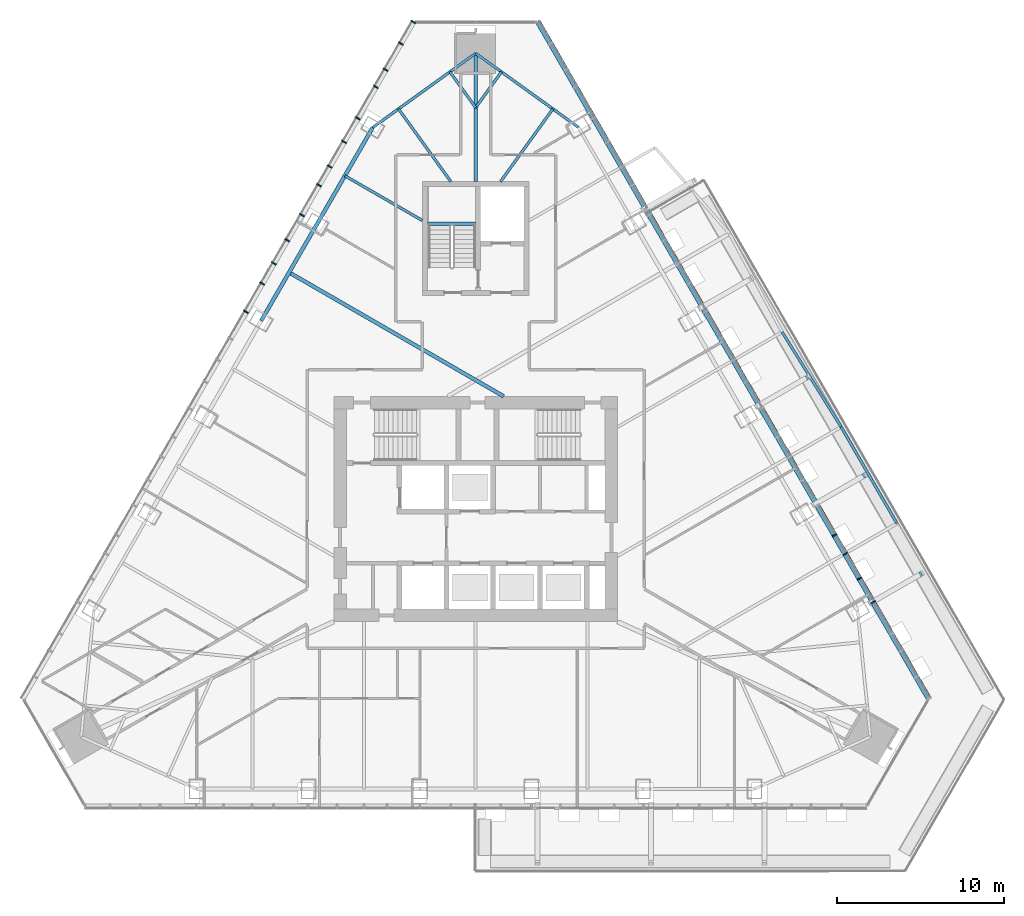
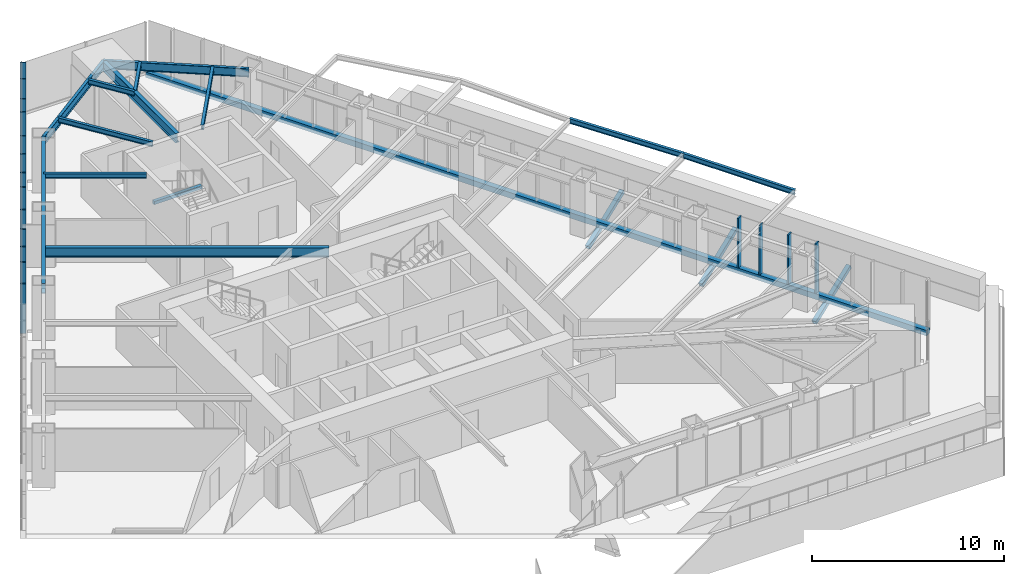
# One storey, part 5 of 17: 21 members, 13 beams, 2 elements without a shape of their own.
"""IFC4 building model written with IfcOpenShell, lengths in metres."""

from ifc_helpers import new_model, si_unit, direction, frame, origin, origin_2d, place, context, subcontext, project, spatial, rectangle, hollow_rectangle, i_section, extrude, material, layer, layer_set, material_profile, profile_set, type_object, element, aggregate, save


model = new_model("IFC4")

# Units and contexts
model_context = context("Model", 3, precision=1e-05, world=origin(), true_north=direction((0.0, 1.0)))
body_context = subcontext(model_context, "Body", "Model", "MODEL_VIEW")
ifc_project = project(units=[si_unit("LENGTHUNIT", "METRE"), si_unit("AREAUNIT", "SQUARE_METRE"), si_unit("VOLUMEUNIT", "CUBIC_METRE"), si_unit("PLANEANGLEUNIT", "RADIAN"), si_unit("MASSUNIT", "GRAM", prefix="KILO")], contexts=[model_context])

# Site, building, storey
site_placement = place(None, origin())
site = spatial("IfcSite", under=ifc_project, at=site_placement, CompositionType="ELEMENT")
building_placement = place(site_placement, origin())
building = spatial("IfcBuilding", under=site, at=building_placement, Name="Firuza Gate Tower and Library", CompositionType="ELEMENT")
storey_placement = place(building_placement, frame((0.0, 0.0, 263.60009765625)))
storey = spatial("IfcBuildingStorey", under=building, at=storey_placement, Name="L62", CompositionType="ELEMENT", Elevation=263.60009765625)

# Curtain wall, members
ifc_material_1 = material(Name="Aluminium 6063-T6", Category="aluminium")
ifc_layer = layer(ifc_material_1, 0.14990234375)
ifc_layer_set = layer_set([ifc_layer], Name="Unitised curtain wall, residences")
curtain_wall_type = type_object("IfcCurtainWallType", Name="Unitised curtain wall, residences", PredefinedType="NOTDEFINED", material=ifc_layer_set)
placement = place(storey_placement, origin())
curtain_wall_1 = element("IfcCurtainWall", 1, at=placement, inside=storey, type_object=curtain_wall_type, Name="CW3 L62 E face", PredefinedType="NOTDEFINED")
ifc_material_2 = material(Name="Aluminium 6063-T6", Category="aluminium")
ifc_material_profile_1 = material_profile(ifc_material_2, rectangle(XDim=0.320068359375, YDim=0.080078125, at=origin_2d()))
ifc_profile_set_1 = profile_set([ifc_material_profile_1], Name="Aluminium 6063-T6")
member_type_1 = type_object("IfcMemberType", Name="Curtain wall mullion 80x320", PredefinedType="MULLION", material=ifc_profile_set_1)
member_1_placement = place(storey_placement, frame((98.802001953125, 69.415283203125, 0.14990234375), z_axis=(0.0, 0.0, 1.0), x_axis=(-0.866025403784, -0.5, 0.0)))
member_1 = element("IfcMember", 2, at=member_1_placement, type_object=member_type_1, Name="Mullion", PredefinedType="MULLION", context=body_context, shape_type="SweptSolid", body=[
    extrude(rectangle(XDim=0.320068359375, YDim=0.080078125, at=origin_2d()), origin(), (0.0, 0.0, 1.0), 3.14990234375),
])
member_2_placement = place(storey_placement, frame((97.128173828125, 72.314208984375, 0.14990234375), z_axis=(0.0, 0.0, 1.0), x_axis=(-0.866025403784, -0.5, 0.0)))
member_2 = element("IfcMember", 3, at=member_2_placement, type_object=member_type_1, Name="Mullion", PredefinedType="MULLION", context=body_context, shape_type="SweptSolid", body=[
    extrude(rectangle(XDim=0.320068359375, YDim=0.080078125, at=origin_2d()), origin(), (0.0, 0.0, 1.0), 3.14990234375),
])
member_3_placement = place(storey_placement, frame((97.982421875, 70.8349609375, 0.14990234375), z_axis=(0.0, 0.0, 1.0), x_axis=(-0.866025403784, -0.5, 0.0)))
member_3 = element("IfcMember", 4, at=member_3_placement, type_object=member_type_1, Name="Mullion", PredefinedType="MULLION", context=body_context, shape_type="SweptSolid", body=[
    extrude(rectangle(XDim=0.320068359375, YDim=0.080078125, at=origin_2d()), origin(), (0.0, 0.0, 1.0), 3.14990234375),
])
member_4_placement = place(storey_placement, frame((96.484130859375, 73.429931640625, 0.14990234375), z_axis=(0.0, 0.0, 1.0), x_axis=(-0.866025403784, -0.5, 0.0)))
member_4 = element("IfcMember", 5, at=member_4_placement, type_object=member_type_1, Name="Mullion", PredefinedType="MULLION", context=body_context, shape_type="SweptSolid", body=[
    extrude(rectangle(XDim=0.320068359375, YDim=0.080078125, at=origin_2d()), origin(), (0.0, 0.0, 1.0), 3.14990234375),
])

curtain_wall_2 = element("IfcCurtainWall", 6, at=placement, inside=storey, type_object=curtain_wall_type, Name="CW3 L62 W face", PredefinedType="NOTDEFINED")
member_5_placement = place(storey_placement, frame((71.26318359375, 104.1689453125, 0.14990234375), z_axis=(0.0, 0.0, 1.0), x_axis=(0.866025403784, -0.5, 0.0)))
member_5 = element("IfcMember", 7, at=member_5_placement, type_object=member_type_1, Name="Mullion", PredefinedType="MULLION", context=body_context, shape_type="SweptSolid", body=[
    extrude(rectangle(XDim=0.320068359375, YDim=0.080078125, at=origin_2d()), origin(), (0.0, 0.0, 1.0), 3.14990234375),
])
member_6_placement = place(storey_placement, frame((69.609375, 101.3046875, 0.14990234375), z_axis=(0.0, 0.0, 1.0), x_axis=(0.866025403784, -0.5, 0.0)))
member_6 = element("IfcMember", 8, at=member_6_placement, type_object=member_type_1, Name="Mullion", PredefinedType="MULLION", context=body_context, shape_type="SweptSolid", body=[
    extrude(rectangle(XDim=0.320068359375, YDim=0.080078125, at=origin_2d()), origin(), (0.0, 0.0, 1.0), 3.14990234375),
])
member_7_placement = place(storey_placement, frame((67.935546875, 98.405517578125, 0.14990234375), z_axis=(0.0, 0.0, 1.0), x_axis=(0.866025403784, -0.5, 0.0)))
member_7 = element("IfcMember", 9, at=member_7_placement, type_object=member_type_1, Name="Mullion", PredefinedType="MULLION", context=body_context, shape_type="SweptSolid", body=[
    extrude(rectangle(XDim=0.320068359375, YDim=0.080078125, at=origin_2d()), origin(), (0.0, 0.0, 1.0), 3.14990234375),
])
member_8_placement = place(storey_placement, frame((66.26171875, 95.506591796875, 0.14990234375), z_axis=(0.0, 0.0, 1.0), x_axis=(0.866025403784, -0.5, 0.0)))
member_8 = element("IfcMember", 10, at=member_8_placement, type_object=member_type_1, Name="Mullion", PredefinedType="MULLION", context=body_context, shape_type="SweptSolid", body=[
    extrude(rectangle(XDim=0.320068359375, YDim=0.080078125, at=origin_2d()), origin(), (0.0, 0.0, 1.0), 3.14990234375),
])
member_9_placement = place(storey_placement, frame((64.588134765625, 92.607421875, 0.14990234375), z_axis=(0.0, 0.0, 1.0), x_axis=(0.866025403784, -0.5, 0.0)))
member_9 = element("IfcMember", 11, at=member_9_placement, type_object=member_type_1, Name="Mullion", PredefinedType="MULLION", context=body_context, shape_type="SweptSolid", body=[
    extrude(rectangle(XDim=0.320068359375, YDim=0.080078125, at=origin_2d()), origin(), (0.0, 0.0, 1.0), 3.14990234375),
])
member_10_placement = place(storey_placement, frame((62.914306640625, 89.70849609375, 0.14990234375), z_axis=(0.0, 0.0, 1.0), x_axis=(0.866025403784, -0.5, 0.0)))
member_10 = element("IfcMember", 12, at=member_10_placement, type_object=member_type_1, Name="Mullion", PredefinedType="MULLION", context=body_context, shape_type="SweptSolid", body=[
    extrude(rectangle(XDim=0.320068359375, YDim=0.080078125, at=origin_2d()), origin(), (0.0, 0.0, 1.0), 3.14990234375),
])
member_11_placement = place(storey_placement, frame((61.240478515625, 86.809326171875, 0.14990234375), z_axis=(0.0, 0.0, 1.0), x_axis=(0.866025403784, -0.5, 0.0)))
member_11 = element("IfcMember", 13, at=member_11_placement, type_object=member_type_1, Name="Mullion", PredefinedType="MULLION", context=body_context, shape_type="SweptSolid", body=[
    extrude(rectangle(XDim=0.320068359375, YDim=0.080078125, at=origin_2d()), origin(), (0.0, 0.0, 1.0), 3.14990234375),
])
member_12_placement = place(storey_placement, frame((70.515869140625, 102.874755859375, 0.14990234375), z_axis=(0.0, 0.0, 1.0), x_axis=(0.866025403784, -0.5, 0.0)))
member_12 = element("IfcMember", 14, at=member_12_placement, type_object=member_type_1, Name="Mullion", PredefinedType="MULLION", context=body_context, shape_type="SweptSolid", body=[
    extrude(rectangle(XDim=0.320068359375, YDim=0.080078125, at=origin_2d()), origin(), (0.0, 0.0, 1.0), 3.14990234375),
])
member_13_placement = place(storey_placement, frame((69.017578125, 100.27978515625, 0.14990234375), z_axis=(0.0, 0.0, 1.0), x_axis=(0.866025403784, -0.5, 0.0)))
member_13 = element("IfcMember", 15, at=member_13_placement, type_object=member_type_1, Name="Mullion", PredefinedType="MULLION", context=body_context, shape_type="SweptSolid", body=[
    extrude(rectangle(XDim=0.320068359375, YDim=0.080078125, at=origin_2d()), origin(), (0.0, 0.0, 1.0), 3.14990234375),
])
member_14_placement = place(storey_placement, frame((67.115966796875, 96.98583984375, 0.14990234375), z_axis=(0.0, 0.0, 1.0), x_axis=(0.866025403784, -0.5, 0.0)))
member_14 = element("IfcMember", 16, at=member_14_placement, type_object=member_type_1, Name="Mullion", PredefinedType="MULLION", context=body_context, shape_type="SweptSolid", body=[
    extrude(rectangle(XDim=0.320068359375, YDim=0.080078125, at=origin_2d()), origin(), (0.0, 0.0, 1.0), 3.14990234375),
])
member_15_placement = place(storey_placement, frame((65.61767578125, 94.390869140625, 0.14990234375), z_axis=(0.0, 0.0, 1.0), x_axis=(0.866025403784, -0.5, 0.0)))
member_15 = element("IfcMember", 17, at=member_15_placement, type_object=member_type_1, Name="Mullion", PredefinedType="MULLION", context=body_context, shape_type="SweptSolid", body=[
    extrude(rectangle(XDim=0.320068359375, YDim=0.080078125, at=origin_2d()), origin(), (0.0, 0.0, 1.0), 3.14990234375),
])
member_16_placement = place(storey_placement, frame((63.7158203125, 91.096923828125, 0.14990234375), z_axis=(0.0, 0.0, 1.0), x_axis=(0.866025403784, -0.5, 0.0)))
member_16 = element("IfcMember", 18, at=member_16_placement, type_object=member_type_1, Name="Mullion", PredefinedType="MULLION", context=body_context, shape_type="SweptSolid", body=[
    extrude(rectangle(XDim=0.320068359375, YDim=0.080078125, at=origin_2d()), origin(), (0.0, 0.0, 1.0), 3.14990234375),
])
member_17_placement = place(storey_placement, frame((62.2177734375, 88.501953125, 0.14990234375), z_axis=(0.0, 0.0, 1.0), x_axis=(0.866025403784, -0.5, 0.0)))
member_17 = element("IfcMember", 19, at=member_17_placement, type_object=member_type_1, Name="Mullion", PredefinedType="MULLION", context=body_context, shape_type="SweptSolid", body=[
    extrude(rectangle(XDim=0.320068359375, YDim=0.080078125, at=origin_2d()), origin(), (0.0, 0.0, 1.0), 3.14990234375),
])
aggregate(curtain_wall_2, [member_5, member_6, member_7, member_8, member_9, member_10, member_11, member_12, member_13, member_14, member_15, member_16, member_17])

# Member
ifc_material_3 = material(Name="Aluminium 6063-T6", Category="aluminium")
ifc_material_profile_2 = material_profile(ifc_material_3, rectangle(XDim=0.320068359375, YDim=0.35009765625, at=origin_2d()))
ifc_profile_set_2 = profile_set([ifc_material_profile_2], Name="Aluminium 6063-T6")
member_type_2 = type_object("IfcMemberType", Name="Curtain wall transom 350x320", PredefinedType="USERDEFINED", material=ifc_profile_set_2)
member_18_placement = place(storey_placement, frame((102.149658203125, 63.6171875, -0.025146484375), z_axis=(-0.500004440558, 0.866022840012, 0.0), x_axis=(-0.866022840012, -0.500004440558, 0.0)))
member_18 = element("IfcMember", 20, at=member_18_placement, type_object=member_type_2, Name="Transom", ObjectType="TRANSOM", PredefinedType="USERDEFINED", context=body_context, shape_type="SweptSolid", body=[
    extrude(rectangle(XDim=0.320068359375, YDim=0.35009765625, at=origin_2d()), origin(), (0.0, 0.0, 1.0), 46.865234375),
])

aggregate(curtain_wall_1, [member_1, member_2, member_18, member_3, member_4])

# Members
ifc_material_4 = material(Name="Steel S355", Category="steel")
ifc_material_profile_3 = material_profile(ifc_material_4, hollow_rectangle(XDim=0.25390625, YDim=0.25390625, WallThickness=0.01171875, at=origin_2d()))
ifc_profile_set_3 = profile_set([ifc_material_profile_3], Name="Steel S355")
member_type_3 = type_object("IfcMemberType", Name="HSS254x254x13 Tray strut", PredefinedType="BRACE", material=ifc_profile_set_3)
for number, where, z_axis, x_axis, name in (
    (21, (98.62060546875, 69.353759765625, -1.670166015625), (0.807122458648, 0.466007352202, 0.362478253747), (-0.500012057535, 0.866018442252, 0.0), "Tray strut L62 col:L61:E1"),
    (22, (95.220458984375, 75.24267578125, -1.670166015625), (0.807122458648, 0.466007352202, 0.362478253747), (-0.500012057535, 0.866018442252, 0.0), "Tray strut L62 col:L61:E2"),
):
    element("IfcMember", number, at=place(storey_placement, frame(where, z_axis=z_axis, x_axis=x_axis)), inside=storey, type_object=member_type_3, Name=name, PredefinedType="BRACE", context=body_context, shape_type="SweptSolid", body=[
        extrude(hollow_rectangle(XDim=0.25390625, YDim=0.25390625, WallThickness=0.01171875, at=origin_2d()), origin(), (0.0, 0.0, 1.0), 3.86279296875),
    ])
member_19_placement = place(storey_placement, frame((91.820556640625, 81.1318359375, -1.670166015625), z_axis=(0.807146230908, 0.465957871124, 0.362488929856), x_axis=(-0.499961193289, 0.866047807691, 0.0)))
element("IfcMember", 23, at=member_19_placement, inside=storey, type_object=member_type_3, Name="Tray strut L62 col:L61:E3", PredefinedType="BRACE", context=body_context, shape_type="SweptSolid", body=[
    extrude(hollow_rectangle(XDim=0.25390625, YDim=0.25390625, WallThickness=0.01171875, at=origin_2d()), origin(), (0.0, 0.0, 1.0), 3.862548828125),
])

# Beams
ifc_material_5 = material(Name="Concrete C35/45", Category="concrete")
ifc_material_profile_4 = material_profile(ifc_material_5, rectangle(XDim=0.199951171875, YDim=0.199951171875, at=origin_2d()))
ifc_profile_set_4 = profile_set([ifc_material_profile_4], Name="Concrete C35/45")
beam_type_1 = type_object("IfcBeamType", Name="Stair landing bearer 200x200", PredefinedType="BEAM", material=ifc_profile_set_4)
beam_1_placement = place(storey_placement, frame((75.0, 92.090087890625, 1.449951171875), z_axis=(-1.0, 0.0, 0.0), x_axis=(0.0, -1.0, 0.0)))
element("IfcBeam", 24, at=beam_1_placement, inside=storey, type_object=beam_type_1, Name="Landing bearer L62 stair 3", PredefinedType="BEAM", context=body_context, shape_type="SweptSolid", body=[
    extrude(rectangle(XDim=0.199951171875, YDim=0.199951171875, at=origin_2d()), origin(), (0.0, 0.0, 1.0), 2.89990234375),
])
ifc_material_6 = material(Name="Steel S355", Category="steel")
ifc_material_profile_5 = material_profile(ifc_material_6, i_section(OverallWidth=0.1650390625, OverallDepth=0.31005859375, WebThickness=0.005859375, FlangeThickness=0.009765625, at=origin_2d()))
ifc_profile_set_5 = profile_set([ifc_material_profile_5], Name="Steel S355")
beam_type_2 = type_object("IfcBeamType", Name="W310x39 Floor beam", PredefinedType="JOIST", material=ifc_profile_set_5)
beam_2_placement = place(storey_placement, frame((79.621337890625, 98.9580078125, 3.14501953125), z_axis=(-0.584364605305, -0.811491224886, 0.0), x_axis=(0.811491224886, -0.584364605305, 0.0)))
element("IfcBeam", 25, at=beam_2_placement, inside=storey, type_object=beam_type_2, Name="Floor beam L62 s60", PredefinedType="JOIST", context=body_context, shape_type="SweptSolid", body=[
    extrude(i_section(OverallWidth=0.1650390625, OverallDepth=0.31005859375, WebThickness=0.005859375, FlangeThickness=0.009765625, at=origin_2d()), origin(), (0.0, 0.0, 1.0), 5.370361328125),
])
for number, where, z_axis, x_axis, name in (
    (26, (76.54052734375, 101.1767578125, 3.14501953125), (-0.584387674323, -0.81147461211, 0.0), (0.81147461211, -0.584387674323, 0.0), "Floor beam L62 s61"),
    (27, (73.45947265625, 101.1767578125, 3.14501953125), (0.584387674323, -0.81147461211, 0.0), (0.81147461211, 0.584387674323, 0.0), "Floor beam L62 s70"),
):
    element("IfcBeam", number, at=place(storey_placement, frame(where, z_axis=z_axis, x_axis=x_axis)), inside=storey, type_object=beam_type_2, Name=name, PredefinedType="JOIST", context=body_context, shape_type="SweptSolid", body=[
        extrude(i_section(OverallWidth=0.1650390625, OverallDepth=0.31005859375, WebThickness=0.005859375, FlangeThickness=0.009765625, at=origin_2d()), origin(), (0.0, 0.0, 1.0), 2.63623046875),
    ])
beam_3_placement = place(storey_placement, frame((70.378662109375, 98.9580078125, 3.14501953125), z_axis=(0.584364605305, -0.811491224886, 0.0), x_axis=(0.811491224886, 0.584364605305, 0.0)))
element("IfcBeam", 28, at=beam_3_placement, inside=storey, type_object=beam_type_2, Name="Floor beam L62 s71", PredefinedType="JOIST", context=body_context, shape_type="SweptSolid", body=[
    extrude(i_section(OverallWidth=0.1650390625, OverallDepth=0.31005859375, WebThickness=0.005859375, FlangeThickness=0.009765625, at=origin_2d()), origin(), (0.0, 0.0, 1.0), 5.370361328125),
])
beam_4_placement = place(storey_placement, frame((67.16748046875, 94.955078125, 3.14501953125), z_axis=(0.866029778435, -0.499992422807, 0.0), x_axis=(0.499992422807, 0.866029778435, 0.0)))
element("IfcBeam", 29, at=beam_4_placement, inside=storey, type_object=beam_type_2, Name="Floor beam L62 s80", PredefinedType="JOIST", context=body_context, shape_type="SweptSolid", body=[
    extrude(i_section(OverallWidth=0.1650390625, OverallDepth=0.31005859375, WebThickness=0.005859375, FlangeThickness=0.009765625, at=origin_2d()), origin(), (0.0, 0.0, 1.0), 5.34912109375),
])
beam_5_placement = place(storey_placement, frame((100.224853515625, 74.130615234375, 3.14501953125), z_axis=(-0.499997585193, 0.866026797969, 0.0), x_axis=(-0.866026797969, -0.499997585193, 0.0)))
element("IfcBeam", 30, at=beam_5_placement, inside=storey, type_object=beam_type_2, Name="Tray edge beam L62 s50-s51", PredefinedType="JOIST", context=body_context, shape_type="SweptSolid", body=[
    extrude(i_section(OverallWidth=0.1650390625, OverallDepth=0.31005859375, WebThickness=0.005859375, FlangeThickness=0.009765625, at=origin_2d()), origin(), (0.0, 0.0, 1.0), 6.6826171875),
])
beam_6_placement = place(storey_placement, frame((96.883544921875, 79.91796875, 3.14501953125), z_axis=(-0.528133411856, 0.849161409439, 0.0), x_axis=(-0.849161409439, -0.528133411856, 0.0)))
element("IfcBeam", 31, at=beam_6_placement, inside=storey, type_object=beam_type_2, Name="Tray edge beam L62 s51-s52", PredefinedType="JOIST", context=body_context, shape_type="SweptSolid", body=[
    extrude(i_section(OverallWidth=0.1650390625, OverallDepth=0.31005859375, WebThickness=0.005859375, FlangeThickness=0.009765625, at=origin_2d()), origin(), (0.0, 0.0, 1.0), 6.686279296875),
])
ifc_material_7 = material(Name="Steel S355", Category="steel")
ifc_material_profile_6 = material_profile(ifc_material_7, i_section(OverallWidth=0.166015625, OverallDepth=0.534912109375, WebThickness=0.01025390625, FlangeThickness=0.0166015625, at=origin_2d()))
ifc_profile_set_6 = profile_set([ifc_material_profile_6], Name="Steel S355")
beam_type_3 = type_object("IfcBeamType", Name="W530x85 Edge beam", PredefinedType="SPANDREL", material=ifc_profile_set_6)
for number, where, z_axis, x_axis, name in (
    (32, (81.161865234375, 97.848876953125, 3.032470703125), (-0.811489820641, 0.584366555337, 0.0), (-0.584366555337, -0.811489820641, 0.0), "Edge beam L62 e60"),
    (33, (75.0, 102.2861328125, 3.032470703125), (-0.811489820641, -0.584366555337, 0.0), (0.584366555337, -0.811489820641, 0.0), "Edge beam L62 e70"),
):
    element("IfcBeam", number, at=place(storey_placement, frame(where, z_axis=z_axis, x_axis=x_axis)), inside=storey, type_object=beam_type_3, Name=name, PredefinedType="SPANDREL", context=body_context, shape_type="SweptSolid", body=[
        extrude(i_section(OverallWidth=0.166015625, OverallDepth=0.534912109375, WebThickness=0.01025390625, FlangeThickness=0.0166015625, at=origin_2d()), origin(), (0.0, 0.0, 1.0), 7.59326171875),
    ])
ifc_material_8 = material(Name="Steel S355", Category="steel")
ifc_material_profile_7 = material_profile(ifc_material_8, i_section(OverallWidth=0.22802734375, OverallDepth=0.60302734375, WebThickness=0.010498046875, FlangeThickness=0.014892578125, at=origin_2d()))
ifc_profile_set_7 = profile_set([ifc_material_profile_7], Name="Steel S355")
beam_type_4 = type_object("IfcBeamType", Name="W610x101 Floor beam", PredefinedType="JOIST", material=ifc_profile_set_7)
beam_7_placement = place(storey_placement, frame((63.826171875, 89.167724609375, 2.998291015625), z_axis=(0.866025816488, -0.499999285175, 0.0), x_axis=(0.499999285175, 0.866025816488, 0.0)))
element("IfcBeam", 34, at=beam_7_placement, inside=storey, type_object=beam_type_4, Name="Floor beam L62 s81", PredefinedType="JOIST", context=body_context, shape_type="SweptSolid", body=[
    extrude(i_section(OverallWidth=0.22802734375, OverallDepth=0.60302734375, WebThickness=0.010498046875, FlangeThickness=0.014892578125, at=origin_2d()), origin(), (0.0, 0.0, 1.0), 14.83544921875),
])
ifc_material_9 = material(Name="Steel S355", Category="steel")
ifc_material_profile_8 = material_profile(ifc_material_9, i_section(OverallWidth=0.22802734375, OverallDepth=0.60302734375, WebThickness=0.010498046875, FlangeThickness=0.014892578125, at=origin_2d()))
ifc_profile_set_8 = profile_set([ifc_material_profile_8], Name="Steel S355")
beam_type_5 = type_object("IfcBeamType", Name="W610x101 Girder", PredefinedType="BEAM", material=ifc_profile_set_8)
beam_8_placement = place(storey_placement, frame((75.0, 102.2861328125, 2.998291015625), z_axis=(0.0, -1.0, 0.0), x_axis=(1.0, 0.0, 0.0)))
element("IfcBeam", 35, at=beam_8_placement, inside=storey, type_object=beam_type_5, Name="Girder L62 gN", PredefinedType="BEAM", context=body_context, shape_type="SweptSolid", body=[
    extrude(i_section(OverallWidth=0.22802734375, OverallDepth=0.60302734375, WebThickness=0.010498046875, FlangeThickness=0.014892578125, at=origin_2d()), origin(), (0.0, 0.0, 1.0), 7.68603515625),
])
ifc_material_10 = material(Name="Steel S355", Category="steel")
ifc_material_profile_9 = material_profile(ifc_material_10, i_section(OverallWidth=0.22900390625, OverallDepth=0.612060546875, WebThickness=0.011962890625, FlangeThickness=0.01953125, at=origin_2d()))
ifc_profile_set_9 = profile_set([ifc_material_profile_9], Name="Steel S355")
beam_type_6 = type_object("IfcBeamType", Name="W610x125 Edge beam", PredefinedType="SPANDREL", material=ifc_profile_set_9)
beam_9_placement = place(storey_placement, frame((68.838134765625, 97.848876953125, 2.993896484375), z_axis=(-0.499997585193, -0.866026797969, 0.0), x_axis=(0.866026797969, -0.499997585193, 0.0)))
element("IfcBeam", 36, at=beam_9_placement, inside=storey, type_object=beam_type_6, Name="Edge beam L62 e80", PredefinedType="SPANDREL", context=body_context, shape_type="SweptSolid", body=[
    extrude(i_section(OverallWidth=0.22900390625, OverallDepth=0.612060546875, WebThickness=0.011962890625, FlangeThickness=0.01953125, at=origin_2d()), origin(), (0.0, 0.0, 1.0), 13.365234375),
])

save(model, "model.ifc")
